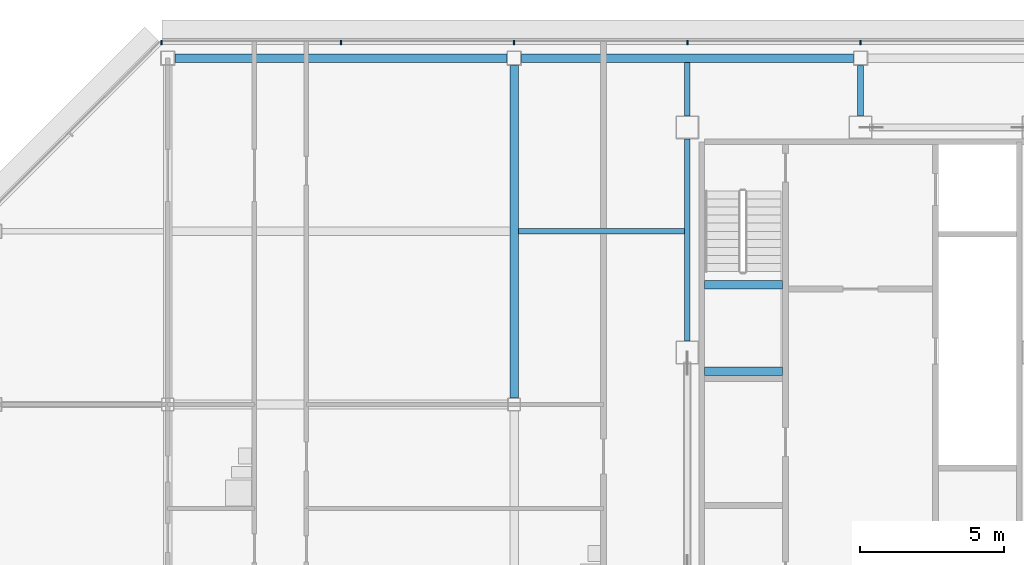
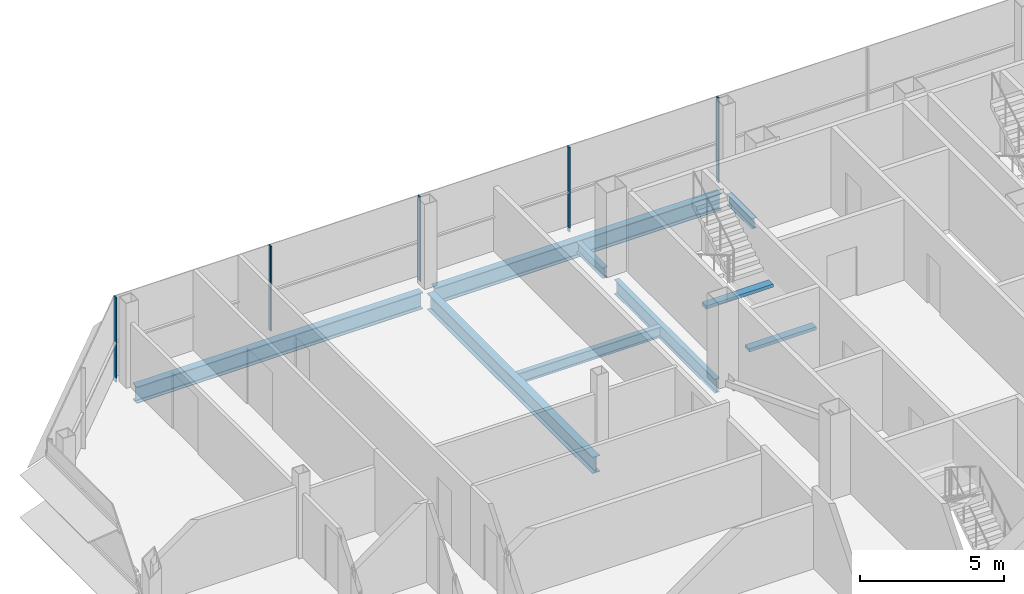
# One storey, part 14 of 27: 9 beams, 5 members, 1 element without a shape of its own.
"""IFC4 building model written with IfcOpenShell, lengths in metres."""

from ifc_helpers import new_model, si_unit, direction, frame, origin, origin_2d, place, context, subcontext, project, spatial, rectangle, i_section, extrude, material, material_profile, profile_set, type_object, element, aggregate, save


model = new_model("IFC4")

# Units and contexts
model_context = context("Model", 3, precision=1e-05, world=origin(), true_north=direction((0.0, 1.0)))
body_context = subcontext(model_context, "Body", "Model", "MODEL_VIEW")
ifc_project = project(units=[si_unit("LENGTHUNIT", "METRE"), si_unit("AREAUNIT", "SQUARE_METRE"), si_unit("VOLUMEUNIT", "CUBIC_METRE"), si_unit("PLANEANGLEUNIT", "RADIAN"), si_unit("MASSUNIT", "GRAM", prefix="KILO")], contexts=[model_context])

# Site, building, storey
site_placement = place(None, origin())
site = spatial("IfcSite", under=ifc_project, at=site_placement, CompositionType="ELEMENT")
building_placement = place(site_placement, origin())
building = spatial("IfcBuilding", under=site, at=building_placement, Name="Sorahane Residences", CompositionType="ELEMENT")
storey_placement = place(building_placement, frame((0.0, 0.0, 323.199951171875)))
storey = spatial("IfcBuildingStorey", under=building, at=storey_placement, Name="L77", CompositionType="ELEMENT", Elevation=323.199951171875)

# Curtain wall, members
ifc_material_1 = material(Name="Dark low-e glass and black anodised aluminium", Category="aluminium")
curtain_wall_type = type_object("IfcCurtainWallType", Name="Curtain wall CW-1 Typical unitised wall", PredefinedType="NOTDEFINED", material=ifc_material_1)
curtain_wall_placement = place(storey_placement, origin())
curtain_wall = element("IfcCurtainWall", 1, at=curtain_wall_placement, inside=storey, type_object=curtain_wall_type, Name="CW-1 curtain wall L77 N1", PredefinedType="NOTDEFINED")
ifc_material_2 = material(Name="Black anodised aluminium", Category="aluminium")
ifc_material_profile_1 = material_profile(ifc_material_2, rectangle(XDim=0.159912109375, YDim=0.050048828125, at=origin_2d()), Name="Curtain wall mullion CW-1 black anodised aluminium 50x160")
ifc_profile_set_1 = profile_set([ifc_material_profile_1], Name="Black anodised aluminium")
member_type = type_object("IfcMemberType", Name="Curtain wall mullion CW-1 black anodised aluminium 50x160", PredefinedType="MULLION", material=ifc_profile_set_1)
member_1_placement = place(storey_placement, frame((12.0, 48.5400390625, -0.179931640625), z_axis=(0.0, 0.0, 1.0), x_axis=(0.0, 1.0, 0.0)))
member_1 = element("IfcMember", 2, at=member_1_placement, type_object=member_type, Name="CW-1 mullion L77 N1.6", PredefinedType="MULLION", context=body_context, shape_type="SweptSolid", body=[
    extrude(rectangle(XDim=0.159912109375, YDim=0.050048828125, at=origin_2d()), origin(), (0.0, 0.0, 1.0), 3.60009765625),
])
member_2_placement = place(storey_placement, frame((6.0, 48.5400390625, -0.179931640625), z_axis=(0.0, 0.0, 1.0), x_axis=(0.0, 1.0, 0.0)))
member_2 = element("IfcMember", 3, at=member_2_placement, type_object=member_type, Name="CW-1 mullion L77 N1.7", PredefinedType="MULLION", context=body_context, shape_type="SweptSolid", body=[
    extrude(rectangle(XDim=0.159912109375, YDim=0.050048828125, at=origin_2d()), origin(), (0.0, 0.0, 1.0), 3.60009765625),
])
member_3_placement = place(storey_placement, frame((0.0, 48.5400390625, -0.179931640625), z_axis=(0.0, 0.0, 1.0), x_axis=(0.0, 1.0, 0.0)))
member_3 = element("IfcMember", 4, at=member_3_placement, type_object=member_type, Name="CW-1 mullion L77 N1.8", PredefinedType="MULLION", context=body_context, shape_type="SweptSolid", body=[
    extrude(rectangle(XDim=0.159912109375, YDim=0.050048828125, at=origin_2d()), origin(), (0.0, 0.0, 1.0), 3.60009765625),
])
member_4_placement = place(storey_placement, frame((-6.0, 48.5400390625, -0.179931640625), z_axis=(0.0, 0.0, 1.0), x_axis=(0.0, 1.0, 0.0)))
member_4 = element("IfcMember", 5, at=member_4_placement, type_object=member_type, Name="CW-1 mullion L77 N1.9", PredefinedType="MULLION", context=body_context, shape_type="SweptSolid", body=[
    extrude(rectangle(XDim=0.159912109375, YDim=0.050048828125, at=origin_2d()), origin(), (0.0, 0.0, 1.0), 3.60009765625),
])
member_5_placement = place(storey_placement, frame((-12.2236328125, 48.5400390625, -0.179931640625), z_axis=(0.0, 0.0, 1.0), x_axis=(0.0, 1.0, 0.0)))
member_5 = element("IfcMember", 6, at=member_5_placement, type_object=member_type, Name="CW-1 mullion L77 N1.10", PredefinedType="MULLION", context=body_context, shape_type="SweptSolid", body=[
    extrude(rectangle(XDim=0.159912109375, YDim=0.050048828125, at=origin_2d()), origin(), (0.0, 0.0, 1.0), 3.60009765625),
])
aggregate(curtain_wall, [member_1, member_2, member_3, member_4, member_5])

# Beams
ifc_material_3 = material(Name="Concrete C40", Category="concrete")
ifc_material_profile_2 = material_profile(ifc_material_3, rectangle(XDim=0.300048828125, YDim=0.139892578125, at=origin_2d()), Name="300x140")
ifc_profile_set_2 = profile_set([ifc_material_profile_2], Name="Concrete C40")
beam_type_1 = type_object("IfcBeamType", Name="RC landing beam 300 x 140 Concrete C40", PredefinedType="BEAM", material=ifc_profile_set_2)
for number, where, z_axis, x_axis, name in (
    (7, (6.60009765625, 37.14990234375, 1.530029296875), (1.0, 0.0, 0.0), (0.0, 1.0, 0.0), "Landing beam"),
    (8, (6.60009765625, 40.14990234375, 1.530029296875), (1.0, 0.0, 0.0), (0.0, 1.0, 0.0), "Landing beam"),
):
    element("IfcBeam", number, at=place(storey_placement, frame(where, z_axis=z_axis, x_axis=x_axis)), inside=storey, type_object=beam_type_1, Name=name, PredefinedType="BEAM", context=body_context, shape_type="SweptSolid", body=[
        extrude(rectangle(XDim=0.300048828125, YDim=0.139892578125, at=origin_2d()), origin(), (0.0, 0.0, 1.0), 2.699951171875),
    ])
ifc_material_4 = material(Name="Steel Q355B", Category="steel")
ifc_material_profile_3 = material_profile(ifc_material_4, i_section(OverallWidth=0.199951171875, OverallDepth=0.449951171875, WebThickness=0.009033203125, FlangeThickness=0.013916015625, FilletRadius=0.02001953125, at=origin_2d()), Name="HN 450x200x9x14")
ifc_profile_set_3 = profile_set([ifc_material_profile_3], Name="Steel Q355B")
beam_type_2 = type_object("IfcBeamType", Name="Steel floor beam HN 450x200x9x14 Q355B", PredefinedType="BEAM", material=ifc_profile_set_3)
beam_1_placement = place(storey_placement, frame((6.0, 46.0, -0.405029296875), z_axis=(0.0, 1.0, 0.0), x_axis=(-1.0, 0.0, 0.0)))
element("IfcBeam", 9, at=beam_1_placement, inside=storey, type_object=beam_type_2, Name="Beam L77 037", PredefinedType="BEAM", context=body_context, shape_type="SweptSolid", body=[
    extrude(i_section(OverallWidth=0.199951171875, OverallDepth=0.449951171875, WebThickness=0.009033203125, FlangeThickness=0.013916015625, FilletRadius=0.02001953125, at=origin_2d()), origin(), (0.0, 0.0, 1.0), 1.85009765625),
])
beam_2_placement = place(storey_placement, frame((12.0, 46.0, -0.405029296875), z_axis=(0.0, 1.0, 0.0), x_axis=(-1.0, 0.0, 0.0)))
element("IfcBeam", 10, at=beam_2_placement, inside=storey, type_object=beam_type_2, Name="Beam L77 039", PredefinedType="BEAM", context=body_context, shape_type="SweptSolid", body=[
    extrude(i_section(OverallWidth=0.199951171875, OverallDepth=0.449951171875, WebThickness=0.009033203125, FlangeThickness=0.013916015625, FilletRadius=0.02001953125, at=origin_2d()), origin(), (0.0, 0.0, 1.0), 1.75),
])
beam_3_placement = place(storey_placement, frame((0.14990234375, 42.0, -0.405029296875), z_axis=(1.0, 0.0, 0.0), x_axis=(0.0, 1.0, 0.0)))
element("IfcBeam", 11, at=beam_3_placement, inside=storey, type_object=beam_type_2, Name="Beam L77 089", PredefinedType="BEAM", context=body_context, shape_type="SweptSolid", body=[
    extrude(i_section(OverallWidth=0.199951171875, OverallDepth=0.449951171875, WebThickness=0.009033203125, FlangeThickness=0.013916015625, FilletRadius=0.02001953125, at=origin_2d()), origin(), (0.0, 0.0, 1.0), 5.75),
])
ifc_material_5 = material(Name="Steel Q355B", Category="steel")
ifc_material_profile_4 = material_profile(ifc_material_5, i_section(OverallWidth=0.199951171875, OverallDepth=0.60009765625, WebThickness=0.010986328125, FlangeThickness=0.01708984375, FilletRadius=0.02392578125, at=origin_2d()), Name="HN 600x200x11x17")
ifc_profile_set_4 = profile_set([ifc_material_profile_4], Name="Steel Q355B")
beam_type_3 = type_object("IfcBeamType", Name="Steel floor beam HN 600x200x11x17 Q355B", PredefinedType="BEAM", material=ifc_profile_set_4)
beam_4_placement = place(storey_placement, frame((6.0, 38.199951171875, -0.47998046875), z_axis=(0.0, 1.0, 0.0), x_axis=(-1.0, 0.0, 0.0)))
element("IfcBeam", 12, at=beam_4_placement, inside=storey, type_object=beam_type_3, Name="Beam L77 036", PredefinedType="BEAM", context=body_context, shape_type="SweptSolid", body=[
    extrude(i_section(OverallWidth=0.199951171875, OverallDepth=0.60009765625, WebThickness=0.010986328125, FlangeThickness=0.01708984375, FilletRadius=0.02392578125, at=origin_2d()), origin(), (0.0, 0.0, 1.0), 7.0),
])
ifc_material_6 = material(Name="Steel Q355B", Category="steel")
ifc_material_profile_5 = material_profile(ifc_material_6, i_section(OverallWidth=0.300048828125, OverallDepth=0.699951171875, WebThickness=0.012939453125, FlangeThickness=0.02392578125, FilletRadius=0.028076171875, at=origin_2d()), Name="HN 700x300x13x24")
ifc_profile_set_5 = profile_set([ifc_material_profile_5], Name="Steel Q355B")
beam_type_4 = type_object("IfcBeamType", Name="Steel floor beam HN 700x300x13x24 Q355B", PredefinedType="BEAM", material=ifc_profile_set_5)
for number, where, z_axis, x_axis, name in (
    (13, (-11.75, 48.0, -0.530029296875), (1.0, 0.0, 0.0), (0.0, 1.0, 0.0), "Beam L77 015"),
    (14, (0.25, 48.0, -0.530029296875), (1.0, 0.0, 0.0), (0.0, 1.0, 0.0), "Beam L77 016"),
):
    element("IfcBeam", number, at=place(storey_placement, frame(where, z_axis=z_axis, x_axis=x_axis)), inside=storey, type_object=beam_type_4, Name=name, PredefinedType="BEAM", context=body_context, shape_type="SweptSolid", body=[
        extrude(i_section(OverallWidth=0.300048828125, OverallDepth=0.699951171875, WebThickness=0.012939453125, FlangeThickness=0.02392578125, FilletRadius=0.028076171875, at=origin_2d()), origin(), (0.0, 0.0, 1.0), 11.5),
    ])
beam_5_placement = place(storey_placement, frame((0.0, 36.22509765625, -0.530029296875), z_axis=(0.0, 1.0, 0.0), x_axis=(-1.0, 0.0, 0.0)))
element("IfcBeam", 15, at=beam_5_placement, inside=storey, type_object=beam_type_4, Name="Beam L77 031", PredefinedType="BEAM", context=body_context, shape_type="SweptSolid", body=[
    extrude(i_section(OverallWidth=0.300048828125, OverallDepth=0.699951171875, WebThickness=0.012939453125, FlangeThickness=0.02392578125, FilletRadius=0.028076171875, at=origin_2d()), origin(), (0.0, 0.0, 1.0), 11.52490234375),
])

save(model, "model.ifc")
